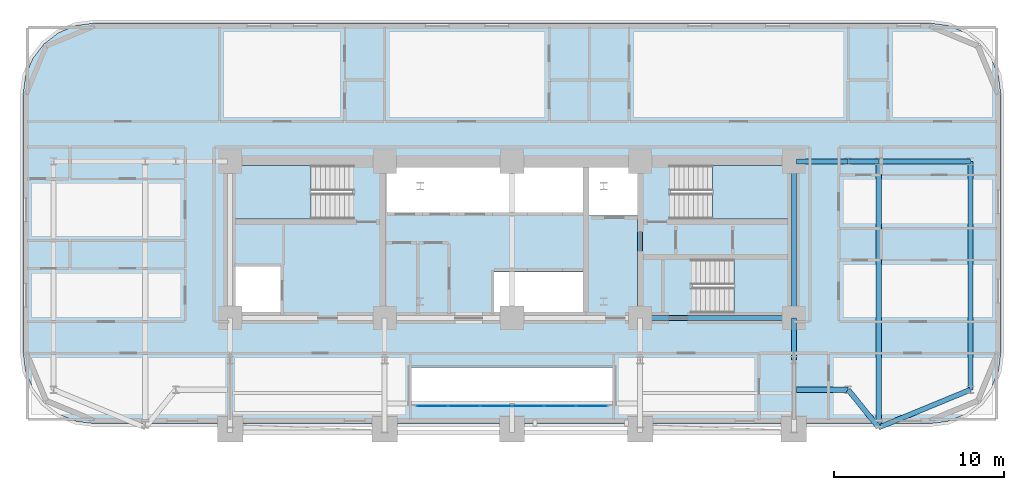
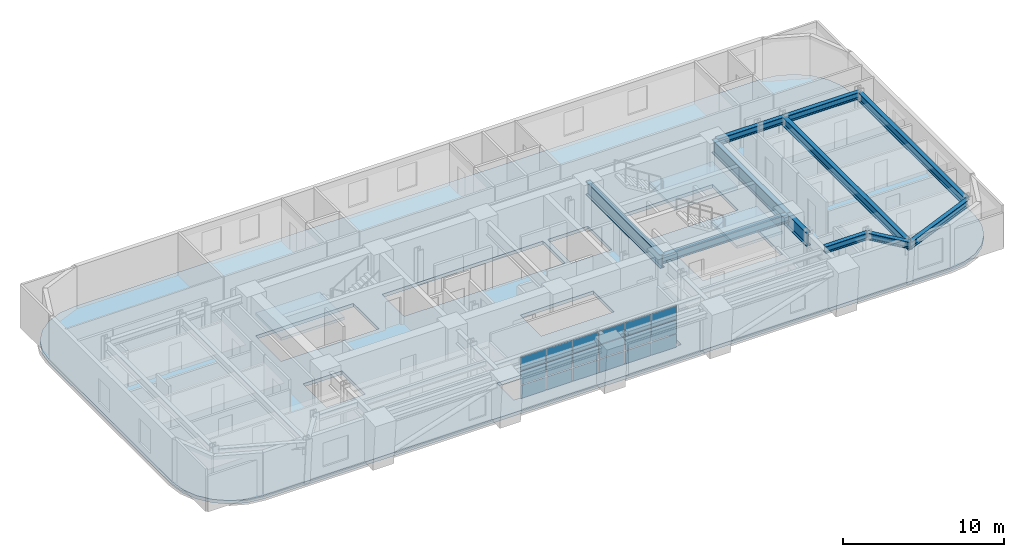
# One storey, part 6 of 16: 18 plates, 12 beams, 4 slabs, 4 elements without a shape of their own.
"""IFC4 building model written with IfcOpenShell, lengths in metres."""

from ifc_helpers import new_model, si_unit, direction, frame, origin, origin_2d, place, context, subcontext, project, spatial, polyline, rectangle, i_section, outline, extrude, material, layer, layer_set, material_profile, profile_set, type_object, element, aggregate, save


model = new_model("IFC4")

# Units and contexts
model_context = context("Model", 3, precision=1e-05, world=origin(), true_north=direction((0.0, 1.0)))
body_context = subcontext(model_context, "Body", "Model", "MODEL_VIEW")
ifc_project = project(units=[si_unit("LENGTHUNIT", "METRE"), si_unit("AREAUNIT", "SQUARE_METRE"), si_unit("VOLUMEUNIT", "CUBIC_METRE"), si_unit("PLANEANGLEUNIT", "RADIAN"), si_unit("MASSUNIT", "GRAM", prefix="KILO")], contexts=[model_context])

# Site, building, storey
site_placement = place(None, origin())
site = spatial("IfcSite", under=ifc_project, at=site_placement, CompositionType="ELEMENT")
building_placement = place(site_placement, origin())
building = spatial("IfcBuilding", under=site, at=building_placement, Name="Zarnavel Station Tower", CompositionType="ELEMENT")
storey_placement = place(building_placement, frame((0.0, 0.0, 53.5)))
storey = spatial("IfcBuildingStorey", under=building, at=storey_placement, Name="L14", CompositionType="ELEMENT", Elevation=53.5)

# Beams
ifc_material_1 = material(Name="Steel S355J2", Category="steel")
ifc_material_profile_1 = material_profile(ifc_material_1, i_section(OverallWidth=0.300048828125, OverallDepth=0.5, WebThickness=0.014404296875, FlangeThickness=0.028076171875, FilletRadius=0.027099609375, at=origin_2d()), Name="HEB500")
ifc_profile_set_1 = profile_set([ifc_material_profile_1], Name="Steel S355J2")
beam_type_1 = type_object("IfcBeamType", Name="FG_HEB500", PredefinedType="USERDEFINED", material=ifc_profile_set_1)
for number, where, z_axis, x_axis, name in (
    (1, (45.544921875, 23.60009765625, 2.989990234375), (1.0, 0.0, 0.0), (0.0, 1.0, 0.0), "L14 East Wing South Tie 1"),
    (2, (45.544921875, 37.050048828125, 2.989990234375), (1.0, 0.0, 0.0), (0.0, 1.0, 0.0), "L14 East Wing North Tie 1"),
):
    element("IfcBeam", number, at=place(storey_placement, frame(where, z_axis=z_axis, x_axis=x_axis)), inside=storey, type_object=beam_type_1, Name=name, ObjectType="GIRDER", PredefinedType="USERDEFINED", context=body_context, shape_type="SweptSolid", body=[
        extrude(i_section(OverallWidth=0.300048828125, OverallDepth=0.5, WebThickness=0.014404296875, FlangeThickness=0.028076171875, FilletRadius=0.027099609375, at=origin_2d()), origin(), (0.0, 0.0, 1.0), 3.05517578125),
    ])
beam_1_placement = place(storey_placement, frame((48.60009765625, 23.60009765625, 2.989990234375), z_axis=(0.62918104212, -0.777258783313, 0.0), x_axis=(0.777258783313, 0.62918104212, 0.0)))
element("IfcBeam", 3, at=beam_1_placement, inside=storey, type_object=beam_type_1, Name="L14 East Wing South Tie 2", ObjectType="GIRDER", PredefinedType="USERDEFINED", context=body_context, shape_type="SweptSolid", body=[
    extrude(i_section(OverallWidth=0.300048828125, OverallDepth=0.5, WebThickness=0.014404296875, FlangeThickness=0.028076171875, FilletRadius=0.027099609375, at=origin_2d()), origin(), (0.0, 0.0, 1.0), 2.860595703125),
])
beam_2_placement = place(storey_placement, frame((48.60009765625, 37.050048828125, 2.989990234375), z_axis=(1.0, 0.0, 0.0), x_axis=(0.0, 1.0, 0.0)))
element("IfcBeam", 4, at=beam_2_placement, inside=storey, type_object=beam_type_1, Name="L14 East Wing North Tie 2", ObjectType="GIRDER", PredefinedType="USERDEFINED", context=body_context, shape_type="SweptSolid", body=[
    extrude(i_section(OverallWidth=0.300048828125, OverallDepth=0.5, WebThickness=0.014404296875, FlangeThickness=0.028076171875, FilletRadius=0.027099609375, at=origin_2d()), origin(), (0.0, 0.0, 1.0), 1.7998046875),
])
beam_3_placement = place(storey_placement, frame((50.39990234375, 21.376708984375, 2.989990234375), z_axis=(0.924690219054, 0.380720368232, 0.0), x_axis=(-0.380720368232, 0.924690219054, 0.0)))
element("IfcBeam", 5, at=beam_3_placement, inside=storey, type_object=beam_type_1, Name="L14 East Wing South Tie 3", ObjectType="GIRDER", PredefinedType="USERDEFINED", context=body_context, shape_type="SweptSolid", body=[
    extrude(i_section(OverallWidth=0.300048828125, OverallDepth=0.5, WebThickness=0.014404296875, FlangeThickness=0.028076171875, FilletRadius=0.027099609375, at=origin_2d()), origin(), (0.0, 0.0, 1.0), 5.83984375),
])
beam_4_placement = place(storey_placement, frame((50.39990234375, 37.050048828125, 2.989990234375), z_axis=(1.0, 0.0, 0.0), x_axis=(0.0, 1.0, 0.0)))
element("IfcBeam", 6, at=beam_4_placement, inside=storey, type_object=beam_type_1, Name="L14 East Wing North Tie 3", ObjectType="GIRDER", PredefinedType="USERDEFINED", context=body_context, shape_type="SweptSolid", body=[
    extrude(i_section(OverallWidth=0.300048828125, OverallDepth=0.5, WebThickness=0.014404296875, FlangeThickness=0.028076171875, FilletRadius=0.027099609375, at=origin_2d()), origin(), (0.0, 0.0, 1.0), 5.400146484375),
])
ifc_material_2 = material(Name="Steel S355J2", Category="steel")
ifc_material_profile_2 = material_profile(ifc_material_2, i_section(OverallWidth=0.300048828125, OverallDepth=0.60009765625, WebThickness=0.015380859375, FlangeThickness=0.030029296875, FilletRadius=0.027099609375, at=origin_2d()), Name="HEB600")
ifc_profile_set_2 = profile_set([ifc_material_profile_2], Name="Steel S355J2")
beam_type_2 = type_object("IfcBeamType", Name="FG_HEB600", PredefinedType="USERDEFINED", material=ifc_profile_set_2)
beam_5_placement = place(storey_placement, frame((36.35009765625, 27.820068359375, 2.93994140625), z_axis=(1.0, 0.0, 0.0), x_axis=(0.0, 1.0, 0.0)))
element("IfcBeam", 7, at=beam_5_placement, inside=storey, type_object=beam_type_2, Name="L14 Core Front Coupling Beam 4", ObjectType="GIRDER", PredefinedType="USERDEFINED", context=body_context, shape_type="SweptSolid", body=[
    extrude(i_section(OverallWidth=0.300048828125, OverallDepth=0.60009765625, WebThickness=0.015380859375, FlangeThickness=0.030029296875, FilletRadius=0.027099609375, at=origin_2d()), origin(), (0.0, 0.0, 1.0), 9.0498046875),
])
ifc_material_3 = material(Name="Steel S355J2", Category="steel")
ifc_material_profile_3 = material_profile(ifc_material_3, i_section(OverallWidth=0.300048828125, OverallDepth=0.64990234375, WebThickness=0.01611328125, FlangeThickness=0.031005859375, FilletRadius=0.027099609375, at=origin_2d()), Name="HEB650")
ifc_profile_set_3 = profile_set([ifc_material_profile_3], Name="Steel S355J2")
beam_type_3 = type_object("IfcBeamType", Name="FG_HEB650", PredefinedType="USERDEFINED", material=ifc_profile_set_3)
beam_6_placement = place(storey_placement, frame((50.39990234375, 21.376708984375, 2.9150390625), z_axis=(0.0, 1.0, 0.0), x_axis=(-1.0, 0.0, 0.0)))
element("IfcBeam", 8, at=beam_6_placement, inside=storey, type_object=beam_type_3, Name="L14 Wing NS Girder 3", ObjectType="GIRDER", PredefinedType="USERDEFINED", context=body_context, shape_type="SweptSolid", body=[
    extrude(i_section(OverallWidth=0.300048828125, OverallDepth=0.64990234375, WebThickness=0.01611328125, FlangeThickness=0.031005859375, FilletRadius=0.027099609375, at=origin_2d()), origin(), (0.0, 0.0, 1.0), 15.67333984375),
])
beam_7_placement = place(storey_placement, frame((55.800048828125, 23.60009765625, 2.9150390625), z_axis=(0.0, 1.0, 0.0), x_axis=(-1.0, 0.0, 0.0)))
element("IfcBeam", 9, at=beam_7_placement, inside=storey, type_object=beam_type_3, Name="L14 Wing NS Girder 4", ObjectType="GIRDER", PredefinedType="USERDEFINED", context=body_context, shape_type="SweptSolid", body=[
    extrude(i_section(OverallWidth=0.300048828125, OverallDepth=0.64990234375, WebThickness=0.01611328125, FlangeThickness=0.031005859375, FilletRadius=0.027099609375, at=origin_2d()), origin(), (0.0, 0.0, 1.0), 13.449951171875),
])
ifc_material_4 = material(Name="Steel S460M", Category="steel")
ifc_material_profile_4 = material_profile(ifc_material_4, i_section(OverallWidth=0.302001953125, OverallDepth=1.008056640625, WebThickness=0.02099609375, FlangeThickness=0.0400390625, FilletRadius=0.030029296875, at=origin_2d()), Name="HEM1000")
ifc_profile_set_4 = profile_set([ifc_material_profile_4], Name="Steel S460M")
beam_type_4 = type_object("IfcBeamType", Name="TG_HEM1000", PredefinedType="USERDEFINED", material=ifc_profile_set_4)
for number, where, z_axis, x_axis, name in (
    (10, (36.35009765625, 27.820068359375, 2.736083984375), (0.0, 1.0, 0.0), (-1.0, 0.0, 0.0), "L14 Core Spine Coupling Girder 4"),
    (11, (45.39990234375, 27.820068359375, 2.736083984375), (0.0, 1.0, 0.0), (-1.0, 0.0, 0.0), "L14 Core Spine Coupling Girder 5"),
):
    element("IfcBeam", number, at=place(storey_placement, frame(where, z_axis=z_axis, x_axis=x_axis)), inside=storey, type_object=beam_type_4, Name=name, ObjectType="GIRDER", PredefinedType="USERDEFINED", context=body_context, shape_type="SweptSolid", body=[
        extrude(i_section(OverallWidth=0.302001953125, OverallDepth=1.008056640625, WebThickness=0.02099609375, FlangeThickness=0.0400390625, FilletRadius=0.030029296875, at=origin_2d()), origin(), (0.0, 0.0, 1.0), 9.22998046875),
    ])
beam_8_placement = place(storey_placement, frame((45.39990234375, 25.35009765625, 2.736083984375), z_axis=(0.0, 1.0, 0.0), x_axis=(-1.0, 0.0, 0.0)))
element("IfcBeam", 12, at=beam_8_placement, inside=storey, type_object=beam_type_4, Name="L14 Inner-Zone NS Girder 5", ObjectType="GIRDER", PredefinedType="USERDEFINED", context=body_context, shape_type="SweptSolid", body=[
    extrude(i_section(OverallWidth=0.302001953125, OverallDepth=1.008056640625, WebThickness=0.02099609375, FlangeThickness=0.0400390625, FilletRadius=0.030029296875, at=origin_2d()), origin(), (0.0, 0.0, 1.0), 2.469970703125),
])

# Curtain wall, plates
ifc_material_5 = material(Name="Aluminium Dark Anodised and Solar-Control Glass", Category="aluminium")
ifc_layer_1 = layer(ifc_material_5, 0.179931640625)
ifc_layer_set_1 = layer_set([ifc_layer_1], Name="CWS2")
curtain_wall_type = type_object("IfcCurtainWallType", Name="CWS2", PredefinedType="NOTDEFINED", material=ifc_layer_set_1)
curtain_wall_placement = place(storey_placement, origin())
curtain_wall = element("IfcCurtainWall", 13, at=curtain_wall_placement, inside=storey, type_object=curtain_wall_type, Name="L14 Curtain Wall CWS2-L14-AS", PredefinedType="NOTDEFINED")
ifc_material_6 = material(Name="Double Low-E Dark Solar-Control Glass", Category="glass")
ifc_layer_2 = layer(ifc_material_6, 0.028076171875)
ifc_layer_set_2 = layer_set([ifc_layer_2], Name="CWS2_PNL")
plate_type = type_object("IfcPlateType", Name="CWS2_PNL", PredefinedType="CURTAIN_PANEL", material=ifc_layer_set_2)
plate_1_placement = place(storey_placement, frame((24.106689453125, 22.64990234375, 0.06005859375), z_axis=(0.0, 0.0, 1.0), x_axis=(1.0, 0.0, 0.0)))
plate_1 = element("IfcPlate", 14, at=plate_1_placement, type_object=plate_type, Name="CW2 panel 1.1", PredefinedType="CURTAIN_PANEL", context=body_context, shape_type="SweptSolid", body=[
    extrude(rectangle(XDim=1.793212890625, YDim=0.028076171875, at=origin_2d()), origin(), (0.0, 0.0, 1.0), 0.989990234375),
])
plate_2_placement = place(storey_placement, frame((24.106689453125, 22.64990234375, 1.110107421875), z_axis=(0.0, 0.0, 1.0), x_axis=(1.0, 0.0, 0.0)))
plate_2 = element("IfcPlate", 15, at=plate_2_placement, type_object=plate_type, Name="CW2 panel 1.2", PredefinedType="CURTAIN_PANEL", context=body_context, shape_type="SweptSolid", body=[
    extrude(rectangle(XDim=1.793212890625, YDim=0.028076171875, at=origin_2d()), origin(), (0.0, 0.0, 1.0), 1.02001953125),
])
plate_3_placement = place(storey_placement, frame((24.106689453125, 22.64990234375, 2.18994140625), z_axis=(0.0, 0.0, 1.0), x_axis=(1.0, 0.0, 0.0)))
plate_3 = element("IfcPlate", 16, at=plate_3_placement, type_object=plate_type, Name="CW2 panel 1.3", PredefinedType="CURTAIN_PANEL", context=body_context, shape_type="SweptSolid", body=[
    extrude(rectangle(XDim=1.793212890625, YDim=0.028076171875, at=origin_2d()), origin(), (0.0, 0.0, 1.0), 0.989990234375),
])
plate_4_placement = place(storey_placement, frame((25.97509765625, 22.64990234375, 0.06005859375), z_axis=(0.0, 0.0, 1.0), x_axis=(1.0, 0.0, 0.0)))
plate_4 = element("IfcPlate", 17, at=plate_4_placement, type_object=plate_type, Name="CW2 panel 2.1", PredefinedType="CURTAIN_PANEL", context=body_context, shape_type="SweptSolid", body=[
    extrude(rectangle(XDim=1.8232421875, YDim=0.028076171875, at=origin_2d()), origin(), (0.0, 0.0, 1.0), 0.989990234375),
])
plate_5_placement = place(storey_placement, frame((25.97509765625, 22.64990234375, 1.110107421875), z_axis=(0.0, 0.0, 1.0), x_axis=(1.0, 0.0, 0.0)))
plate_5 = element("IfcPlate", 18, at=plate_5_placement, type_object=plate_type, Name="CW2 panel 2.2", PredefinedType="CURTAIN_PANEL", context=body_context, shape_type="SweptSolid", body=[
    extrude(rectangle(XDim=1.8232421875, YDim=0.028076171875, at=origin_2d()), origin(), (0.0, 0.0, 1.0), 1.02001953125),
])
plate_6_placement = place(storey_placement, frame((25.97509765625, 22.64990234375, 2.18994140625), z_axis=(0.0, 0.0, 1.0), x_axis=(1.0, 0.0, 0.0)))
plate_6 = element("IfcPlate", 19, at=plate_6_placement, type_object=plate_type, Name="CW2 panel 2.3", PredefinedType="CURTAIN_PANEL", context=body_context, shape_type="SweptSolid", body=[
    extrude(rectangle(XDim=1.8232421875, YDim=0.028076171875, at=origin_2d()), origin(), (0.0, 0.0, 1.0), 0.989990234375),
])
plate_7_placement = place(storey_placement, frame((27.8583984375, 22.64990234375, 0.06005859375), z_axis=(0.0, 0.0, 1.0), x_axis=(1.0, 0.0, 0.0)))
plate_7 = element("IfcPlate", 20, at=plate_7_placement, type_object=plate_type, Name="CW2 panel 3.1", PredefinedType="CURTAIN_PANEL", context=body_context, shape_type="SweptSolid", body=[
    extrude(rectangle(XDim=1.8232421875, YDim=0.028076171875, at=origin_2d()), origin(), (0.0, 0.0, 1.0), 0.989990234375),
])
plate_8_placement = place(storey_placement, frame((27.8583984375, 22.64990234375, 1.110107421875), z_axis=(0.0, 0.0, 1.0), x_axis=(1.0, 0.0, 0.0)))
plate_8 = element("IfcPlate", 21, at=plate_8_placement, type_object=plate_type, Name="CW2 panel 3.2", PredefinedType="CURTAIN_PANEL", context=body_context, shape_type="SweptSolid", body=[
    extrude(rectangle(XDim=1.8232421875, YDim=0.028076171875, at=origin_2d()), origin(), (0.0, 0.0, 1.0), 1.02001953125),
])
plate_9_placement = place(storey_placement, frame((27.8583984375, 22.64990234375, 2.18994140625), z_axis=(0.0, 0.0, 1.0), x_axis=(1.0, 0.0, 0.0)))
plate_9 = element("IfcPlate", 22, at=plate_9_placement, type_object=plate_type, Name="CW2 panel 3.3", PredefinedType="CURTAIN_PANEL", context=body_context, shape_type="SweptSolid", body=[
    extrude(rectangle(XDim=1.8232421875, YDim=0.028076171875, at=origin_2d()), origin(), (0.0, 0.0, 1.0), 0.989990234375),
])
plate_10_placement = place(storey_placement, frame((29.74169921875, 22.64990234375, 0.06005859375), z_axis=(0.0, 0.0, 1.0), x_axis=(1.0, 0.0, 0.0)))
plate_10 = element("IfcPlate", 23, at=plate_10_placement, type_object=plate_type, Name="CW2 panel 4.1", PredefinedType="CURTAIN_PANEL", context=body_context, shape_type="SweptSolid", body=[
    extrude(rectangle(XDim=1.8232421875, YDim=0.028076171875, at=origin_2d()), origin(), (0.0, 0.0, 1.0), 0.989990234375),
])
plate_11_placement = place(storey_placement, frame((29.74169921875, 22.64990234375, 1.110107421875), z_axis=(0.0, 0.0, 1.0), x_axis=(1.0, 0.0, 0.0)))
plate_11 = element("IfcPlate", 24, at=plate_11_placement, type_object=plate_type, Name="CW2 panel 4.2", PredefinedType="CURTAIN_PANEL", context=body_context, shape_type="SweptSolid", body=[
    extrude(rectangle(XDim=1.8232421875, YDim=0.028076171875, at=origin_2d()), origin(), (0.0, 0.0, 1.0), 1.02001953125),
])
plate_12_placement = place(storey_placement, frame((29.74169921875, 22.64990234375, 2.18994140625), z_axis=(0.0, 0.0, 1.0), x_axis=(1.0, 0.0, 0.0)))
plate_12 = element("IfcPlate", 25, at=plate_12_placement, type_object=plate_type, Name="CW2 panel 4.3", PredefinedType="CURTAIN_PANEL", context=body_context, shape_type="SweptSolid", body=[
    extrude(rectangle(XDim=1.8232421875, YDim=0.028076171875, at=origin_2d()), origin(), (0.0, 0.0, 1.0), 0.989990234375),
])
plate_13_placement = place(storey_placement, frame((31.625, 22.64990234375, 0.06005859375), z_axis=(0.0, 0.0, 1.0), x_axis=(1.0, 0.0, 0.0)))
plate_13 = element("IfcPlate", 26, at=plate_13_placement, type_object=plate_type, Name="CW2 panel 5.1", PredefinedType="CURTAIN_PANEL", context=body_context, shape_type="SweptSolid", body=[
    extrude(rectangle(XDim=1.8232421875, YDim=0.028076171875, at=origin_2d()), origin(), (0.0, 0.0, 1.0), 0.989990234375),
])
plate_14_placement = place(storey_placement, frame((31.625, 22.64990234375, 1.110107421875), z_axis=(0.0, 0.0, 1.0), x_axis=(1.0, 0.0, 0.0)))
plate_14 = element("IfcPlate", 27, at=plate_14_placement, type_object=plate_type, Name="CW2 panel 5.2", PredefinedType="CURTAIN_PANEL", context=body_context, shape_type="SweptSolid", body=[
    extrude(rectangle(XDim=1.8232421875, YDim=0.028076171875, at=origin_2d()), origin(), (0.0, 0.0, 1.0), 1.02001953125),
])
plate_15_placement = place(storey_placement, frame((31.625, 22.64990234375, 2.18994140625), z_axis=(0.0, 0.0, 1.0), x_axis=(1.0, 0.0, 0.0)))
plate_15 = element("IfcPlate", 28, at=plate_15_placement, type_object=plate_type, Name="CW2 panel 5.3", PredefinedType="CURTAIN_PANEL", context=body_context, shape_type="SweptSolid", body=[
    extrude(rectangle(XDim=1.8232421875, YDim=0.028076171875, at=origin_2d()), origin(), (0.0, 0.0, 1.0), 0.989990234375),
])
plate_16_placement = place(storey_placement, frame((33.493408203125, 22.64990234375, 0.06005859375), z_axis=(0.0, 0.0, 1.0), x_axis=(1.0, 0.0, 0.0)))
plate_16 = element("IfcPlate", 29, at=plate_16_placement, type_object=plate_type, Name="CW2 panel 6.1", PredefinedType="CURTAIN_PANEL", context=body_context, shape_type="SweptSolid", body=[
    extrude(rectangle(XDim=1.793212890625, YDim=0.028076171875, at=origin_2d()), origin(), (0.0, 0.0, 1.0), 0.989990234375),
])
plate_17_placement = place(storey_placement, frame((33.493408203125, 22.64990234375, 1.110107421875), z_axis=(0.0, 0.0, 1.0), x_axis=(1.0, 0.0, 0.0)))
plate_17 = element("IfcPlate", 30, at=plate_17_placement, type_object=plate_type, Name="CW2 panel 6.2", PredefinedType="CURTAIN_PANEL", context=body_context, shape_type="SweptSolid", body=[
    extrude(rectangle(XDim=1.793212890625, YDim=0.028076171875, at=origin_2d()), origin(), (0.0, 0.0, 1.0), 1.02001953125),
])
plate_18_placement = place(storey_placement, frame((33.493408203125, 22.64990234375, 2.18994140625), z_axis=(0.0, 0.0, 1.0), x_axis=(1.0, 0.0, 0.0)))
plate_18 = element("IfcPlate", 31, at=plate_18_placement, type_object=plate_type, Name="CW2 panel 6.3", PredefinedType="CURTAIN_PANEL", context=body_context, shape_type="SweptSolid", body=[
    extrude(rectangle(XDim=1.793212890625, YDim=0.028076171875, at=origin_2d()), origin(), (0.0, 0.0, 1.0), 0.989990234375),
])
aggregate(curtain_wall, [plate_1, plate_2, plate_3, plate_4, plate_5, plate_6, plate_7, plate_8, plate_9, plate_10, plate_11, plate_12, plate_13, plate_14, plate_15, plate_16, plate_17, plate_18])

# Slab
ifc_material_7 = material(Name="Concrete C45/55", Category="concrete")
ifc_layer_3 = layer(ifc_material_7, 0.260009765625)
ifc_layer_set_3 = layer_set([ifc_layer_3], Name="SL_FLR_260")
slab_type_1 = type_object("IfcSlabType", Name="SL_FLR_260", PredefinedType="FLOOR", material=ifc_layer_set_3)
slab_1_placement = place(storey_placement, frame((0.0, 0.0, -0.260009765625)))
element("IfcSlab", 32, at=slab_1_placement, inside=storey, type_object=slab_type_1, Name="L14 Structural Floor Slab", PredefinedType="FLOOR", context=body_context, shape_type="SweptSolid", body=[
    extrude(outline(polyline([(53.39990234375, 21.60009765625), (54.487060546875, 21.7431640625), (55.5, 22.16259765625), (56.369873046875, 22.830078125), (57.037353515625, 23.699951171875), (57.456787109375, 24.712890625), (57.60009765625, 25.800048828125), (57.60009765625, 41.0), (57.456787109375, 42.0869140625), (57.037353515625, 43.10009765625), (56.369873046875, 43.9697265625), (55.5, 44.63720703125), (54.487060546875, 45.056884765625), (53.39990234375, 45.199951171875), (4.199951171875, 45.199951171875), (3.113037109375, 45.056884765625), (2.10009765625, 44.63720703125), (1.230224609375, 43.9697265625), (0.562744140625, 43.10009765625), (0.14306640625, 42.0869140625), (0.0, 41.0), (0.0, 25.800048828125), (0.14306640625, 24.712890625), (0.562744140625, 23.699951171875), (1.230224609375, 22.830078125), (2.10009765625, 22.16259765625), (3.113037109375, 21.7431640625), (4.199951171875, 21.60009765625), (53.39990234375, 21.60009765625)]), holes=[polyline([(12.39990234375, 33.659912109375), (19.409912109375, 33.659912109375), (19.409912109375, 36.820068359375), (12.39990234375, 36.820068359375), (12.39990234375, 33.659912109375)]), polyline([(38.14990234375, 33.659912109375), (45.159912109375, 33.659912109375), (45.159912109375, 36.820068359375), (38.14990234375, 36.820068359375), (38.14990234375, 33.659912109375)]), polyline([(39.419921875, 28.1201171875), (45.14990234375, 28.1201171875), (45.14990234375, 31.280029296875), (39.419921875, 31.280029296875), (39.419921875, 28.1201171875)]), polyline([(12.35009765625, 27.949951171875), (15.14990234375, 27.949951171875), (15.14990234375, 30.85009765625), (12.35009765625, 30.85009765625), (12.35009765625, 27.949951171875)]), polyline([(33.320068359375, 33.85009765625), (36.2099609375, 33.85009765625), (36.2099609375, 36.780029296875), (33.320068359375, 36.780029296875), (33.320068359375, 33.85009765625)]), polyline([(21.449951171875, 34.050048828125), (32.97998046875, 34.050048828125), (32.97998046875, 36.780029296875), (21.449951171875, 36.780029296875), (21.449951171875, 34.050048828125)]), polyline([(27.75, 27.949951171875), (32.97998046875, 27.949951171875), (32.97998046875, 30.550048828125), (27.75, 30.550048828125), (27.75, 27.949951171875)]), polyline([(22.800048828125, 22.800048828125), (34.800048828125, 22.800048828125), (34.800048828125, 24.89990234375), (22.800048828125, 24.89990234375), (22.800048828125, 22.800048828125)])]), origin(), (0.0, 0.0, 1.0), 0.260009765625),
])

# Stair, slab
ifc_material_8 = material(Name="Concrete C45/55", Category="concrete")
stair_type = type_object("IfcStairType", Name="ST_CORE_150", PredefinedType="HALF_TURN_STAIR", material=ifc_material_8)
stair_1_placement = place(storey_placement, origin())
stair_1 = element("IfcStair", 33, at=stair_1_placement, inside=storey, type_object=stair_type, Name="L14 Core Exit Stair ST1", PredefinedType="HALF_TURN_STAIR")
ifc_material_9 = material(Name="Concrete C45/55", Category="concrete")
ifc_layer_4 = layer(ifc_material_9, 0.199951171875)
ifc_layer_set_4 = layer_set([ifc_layer_4], Name="SL_STAIR_LAND_200")
slab_type_2 = type_object("IfcSlabType", Name="SL_STAIR_LAND_200", PredefinedType="LANDING", material=ifc_layer_set_4)
slab_2_placement = place(storey_placement, frame((0.0, 0.0, 1.550048828125)))
slab_2 = element("IfcSlab", 34, at=slab_2_placement, type_object=slab_type_2, Name="ST1 landing 1", PredefinedType="LANDING", context=body_context, shape_type="SweptSolid", body=[
    extrude(outline(polyline([(16.9599609375, 36.820068359375), (12.39990234375, 36.820068359375), (12.39990234375, 33.659912109375), (16.9599609375, 33.659912109375), (16.9599609375, 36.820068359375)])), origin(), (0.0, 0.0, 1.0), 0.199951171875),
])
aggregate(stair_1, [slab_2])

stair_2_placement = place(storey_placement, origin())
stair_2 = element("IfcStair", 35, at=stair_2_placement, inside=storey, type_object=stair_type, Name="L14 Core Exit Stair ST2", PredefinedType="HALF_TURN_STAIR")
slab_3_placement = place(storey_placement, frame((0.0, 0.0, 1.550048828125)))
slab_3 = element("IfcSlab", 36, at=slab_3_placement, type_object=slab_type_2, Name="ST2 landing 1", PredefinedType="LANDING", context=body_context, shape_type="SweptSolid", body=[
    extrude(outline(polyline([(40.60009765625, 33.659912109375), (45.159912109375, 33.659912109375), (45.159912109375, 36.820068359375), (40.60009765625, 36.820068359375), (40.60009765625, 33.659912109375)])), origin(), (0.0, 0.0, 1.0), 0.199951171875),
])
aggregate(stair_2, [slab_3])

stair_3_placement = place(storey_placement, origin())
stair_3 = element("IfcStair", 37, at=stair_3_placement, inside=storey, type_object=stair_type, Name="L14 Core Exit Stair ST3", PredefinedType="HALF_TURN_STAIR")
slab_4_placement = place(storey_placement, frame((0.0, 0.0, 1.550048828125)))
slab_4 = element("IfcSlab", 38, at=slab_4_placement, type_object=slab_type_2, Name="ST3 landing 1", PredefinedType="LANDING", context=body_context, shape_type="SweptSolid", body=[
    extrude(outline(polyline([(41.8701171875, 28.1201171875), (45.14990234375, 28.1201171875), (45.14990234375, 31.280029296875), (41.8701171875, 31.280029296875), (41.8701171875, 28.1201171875)])), origin(), (0.0, 0.0, 1.0), 0.199951171875),
])
aggregate(stair_3, [slab_4])

save(model, "model.ifc")
